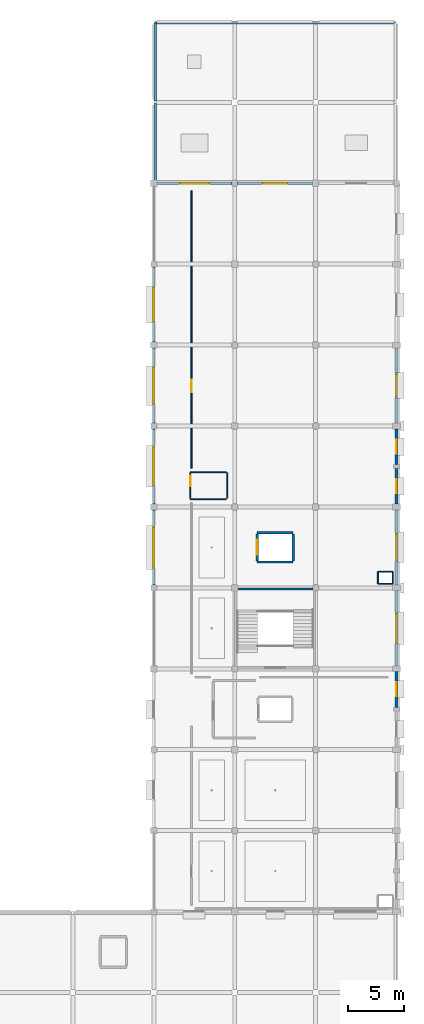
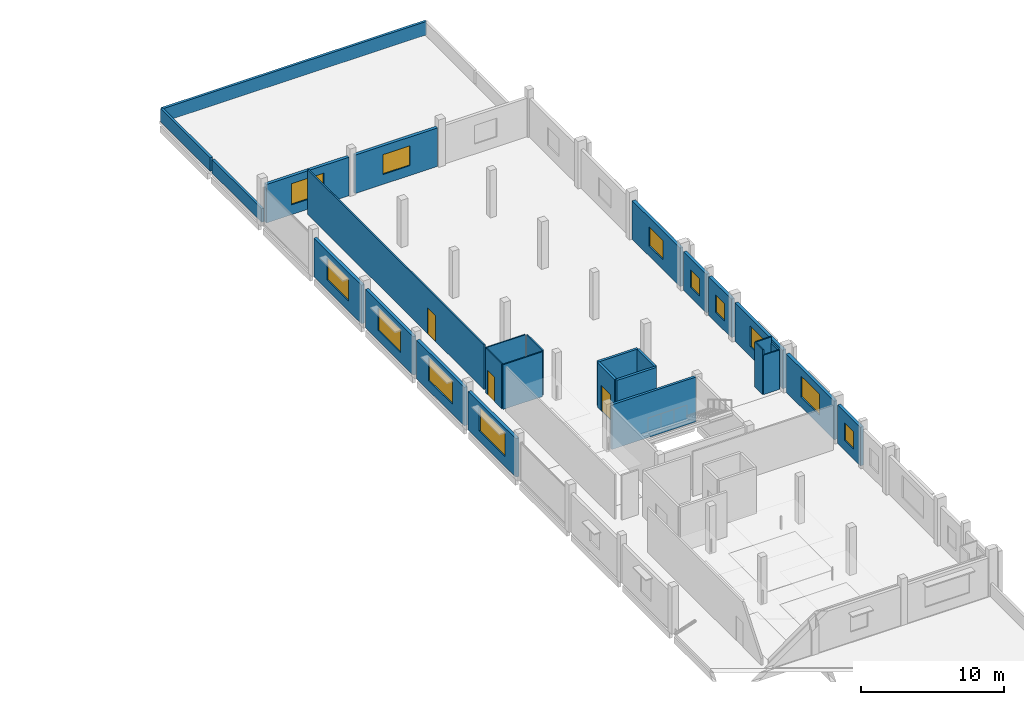
# One storey, part 18 of 26: 29 walls, 12 windows, 3 doors, 15 openings.
"""IFC4 building model written with IfcOpenShell, lengths in metres."""

from ifc_helpers import new_model, si_unit, direction, frame, frame_2d, origin, place, context, subcontext, project, spatial, rectangle, extrude, material, layer, layer_set, type_object, element, fill, save


model = new_model("IFC4")

# Units and contexts
model_context = context("Model", 3, precision=1e-05, world=origin(), true_north=direction((0.0, 1.0)))
body_context = subcontext(model_context, "Body", "Model", "MODEL_VIEW")
ifc_project = project(units=[si_unit("LENGTHUNIT", "METRE"), si_unit("AREAUNIT", "SQUARE_METRE"), si_unit("VOLUMEUNIT", "CUBIC_METRE"), si_unit("PLANEANGLEUNIT", "RADIAN"), si_unit("MASSUNIT", "GRAM", prefix="KILO")], contexts=[model_context])

# Site, building, storey
site_placement = place(None, origin())
site = spatial("IfcSite", under=ifc_project, at=site_placement, CompositionType="ELEMENT")
building_placement = place(site_placement, origin())
building = spatial("IfcBuilding", under=site, at=building_placement, Name="Kangsadwip Square Police Headquarters", CompositionType="ELEMENT")
storey_placement = place(building_placement, frame((0.0, 0.0, 25.64990234375)))
storey = spatial("IfcBuildingStorey", under=building, at=storey_placement, Name="L06", CompositionType="ELEMENT", Elevation=25.64990234375)

# Wall, opening, door
ifc_material_1 = material(Name="Fire-rated double gypsum board acoustic stud partition", Category="masonry")
ifc_layer_1 = layer(ifc_material_1, 0.1201171875)
ifc_layer_set_1 = layer_set([ifc_layer_1], Name="Fire-rated double gypsum board acoustic stud partition")
wall_type_1 = type_object("IfcWallType", Name="AcousticPartition120", PredefinedType="PARTITIONING", material=ifc_layer_set_1)
wall_1_placement = place(storey_placement, frame((147.35009765625, 75.429931640625, 0.0), z_axis=(0.0, 0.0, 1.0), x_axis=(0.0, 1.0, 0.0)))
wall_1 = element("IfcWall", 1, at=wall_1_placement, inside=storey, type_object=wall_type_1, Name="Interior Wall WI-L06-0930", PredefinedType="PARTITIONING", context=body_context, shape_type="SweptSolid", body=[
    extrude(rectangle(XDim=24.719970703125, YDim=0.1201171875, at=frame_2d((12.35986328125, 0.0))), origin(), (0.0, 0.0, 1.0), 3.830078125),
])
opening_1_placement = place(wall_1_placement, frame((6.783935546875, 0.0, 0.0)))
opening_1 = element("IfcOpeningElement", 2, at=opening_1_placement, cuts=wall_1, Name="Opening FD-11A", PredefinedType="OPENING", context=body_context, shape_type="SweptSolid", body=[
    extrude(rectangle(XDim=1.10009765625, YDim=2.199951171875, at=frame_2d((0.550048828125, 1.10009765625))), frame((0.0, 0.070068359375, 0.0), z_axis=(0.0, -1.0, 0.0), x_axis=(1.0, 0.0, 0.0)), (0.0, 0.0, 1.0), 0.14013671875),
])
ifc_material_2 = material(Name="Insulated galvanized steel fire-rated door assembly", Category="steel")
door_type_1 = type_object("IfcDoorType", Name="LabSingleDoor1100x2200", OperationType="NOTDEFINED", PredefinedType="DOOR", material=ifc_material_2)
door_1_placement = place(opening_1_placement, origin())
door_1 = element("IfcDoor", 3, at=door_1_placement, inside=storey, type_object=door_type_1, Name="Interior Door ID-L06-0263", OperationType="SINGLE_SWING_LEFT", OverallHeight=2.199951171875, OverallWidth=1.10009765625, PredefinedType="DOOR", context=body_context, shape_type="SweptSolid", body=[
    extrude(rectangle(XDim=1.10009765625, YDim=2.199951171875, at=frame_2d((0.550048828125, 1.10009765625))), frame((0.0, 0.02490234375, 0.0), z_axis=(0.0, -1.0, 0.0), x_axis=(1.0, 0.0, 0.0)), (0.0, 0.0, 1.0), 0.050048828125),
])
fill(opening_1, door_1)

# Wall, opening, window
ifc_material_3 = material(Name="Glazed architectural terracotta masonry rainscreen", Category="masonry")
ifc_layer_2 = layer(ifc_material_3, 0.25)
ifc_layer_set_2 = layer_set([ifc_layer_2], Name="Glazed architectural terracotta masonry rainscreen")
wall_type_2 = type_object("IfcWallType", Name="ChicagoTerracottaWall250", PredefinedType="SOLIDWALL", material=ifc_layer_set_2)
wall_2_placement = place(storey_placement, frame((144.27001953125, 100.800048828125, 0.0), z_axis=(0.0, 0.0, 1.0), x_axis=(1.0, 0.0, 0.0)))
wall_2 = element("IfcWall", 4, at=wall_2_placement, inside=storey, type_object=wall_type_2, Name="Exterior Wall WE-L06-543", PredefinedType="SOLIDWALL", context=body_context, shape_type="SweptSolid", body=[
    extrude(rectangle(XDim=6.68505859375, YDim=0.25, at=frame_2d((3.342529296875, 0.0))), origin(), (0.0, 0.0, 1.0), 3.295166015625),
])
opening_2_placement = place(wall_2_placement, frame((2.04248046875, 0.0, 0.85009765625)))
opening_2 = element("IfcOpeningElement", 5, at=opening_2_placement, cuts=wall_2, Name="Opening WN-06", PredefinedType="OPENING", context=body_context, shape_type="SweptSolid", body=[
    extrude(rectangle(XDim=2.60009765625, YDim=1.800048828125, at=frame_2d((1.300048828125, 0.89990234375))), frame((0.0, 0.135009765625, 0.0), z_axis=(0.0, -1.0, 0.0), x_axis=(1.0, 0.0, 0.0)), (0.0, 0.0, 1.0), 0.27001953125),
])
ifc_material_4 = material(Name="Double-glazed solar-control low-E safety glass", Category="glass")
window_type_1 = type_object("IfcWindowType", Name="ChicagoDoubleMullWin2600x1800", PartitioningType="DOUBLE_PANEL_VERTICAL", PredefinedType="WINDOW", material=ifc_material_4)
window_1_placement = place(opening_2_placement, origin())
window_1 = element("IfcWindow", 6, at=window_1_placement, inside=storey, type_object=window_type_1, Name="Window WN-L06-0392", OverallHeight=1.800048828125, OverallWidth=2.60009765625, PartitioningType="SINGLE_PANEL", PredefinedType="WINDOW", context=body_context, shape_type="SweptSolid", body=[
    extrude(rectangle(XDim=2.60009765625, YDim=1.800048828125, at=frame_2d((1.300048828125, 0.89990234375))), frame((0.0, 0.030029296875, 0.0), z_axis=(0.0, -1.0, 0.0), x_axis=(1.0, 0.0, 0.0)), (0.0, 0.0, 1.0), 0.06005859375),
])
fill(opening_2, window_1)

wall_3_placement = place(storey_placement, frame((151.445068359375, 100.800048828125, 0.0), z_axis=(0.0, 0.0, 1.0), x_axis=(1.0, 0.0, 0.0)))
wall_3 = element("IfcWall", 7, at=wall_3_placement, inside=storey, type_object=wall_type_2, Name="Exterior Wall WE-L06-544", PredefinedType="SOLIDWALL", context=body_context, shape_type="SweptSolid", body=[
    extrude(rectangle(XDim=6.684814453125, YDim=0.25, at=frame_2d((3.34228515625, 0.0))), origin(), (0.0, 0.0, 1.0), 3.295166015625),
])
opening_3_placement = place(wall_3_placement, frame((2.242431640625, 0.0, 0.85009765625)))
opening_3 = element("IfcOpeningElement", 8, at=opening_3_placement, cuts=wall_3, Name="Opening WN-08", PredefinedType="OPENING", context=body_context, shape_type="SweptSolid", body=[
    extrude(rectangle(XDim=2.199951171875, YDim=1.699951171875, at=frame_2d((1.10009765625, 0.85009765625))), frame((0.0, 0.135009765625, 0.0), z_axis=(0.0, -1.0, 0.0), x_axis=(1.0, 0.0, 0.0)), (0.0, 0.0, 1.0), 0.27001953125),
])
ifc_material_5 = material(Name="Double-glazed solar-control low-E safety glass", Category="glass")
window_type_2 = type_object("IfcWindowType", Name="ChicagoDoubleMullWin2200x1700", PartitioningType="DOUBLE_PANEL_VERTICAL", PredefinedType="WINDOW", material=ifc_material_5)
window_2_placement = place(opening_3_placement, origin())
window_2 = element("IfcWindow", 9, at=window_2_placement, inside=storey, type_object=window_type_2, Name="Window WN-L06-0393", OverallHeight=1.699951171875, OverallWidth=2.199951171875, PartitioningType="SINGLE_PANEL", PredefinedType="WINDOW", context=body_context, shape_type="SweptSolid", body=[
    extrude(rectangle(XDim=2.199951171875, YDim=1.699951171875, at=frame_2d((1.10009765625, 0.85009765625))), frame((0.0, 0.030029296875, 0.0), z_axis=(0.0, -1.0, 0.0), x_axis=(1.0, 0.0, 0.0)), (0.0, 0.0, 1.0), 0.06005859375),
])
fill(opening_3, window_2)

wall_4_placement = place(storey_placement, frame((144.0, 65.044921875, 0.0), z_axis=(0.0, 0.0, 1.0), x_axis=(0.0, 1.0, 0.0)))
wall_4 = element("IfcWall", 10, at=wall_4_placement, inside=storey, type_object=wall_type_2, Name="Exterior Wall WE-L06-565", PredefinedType="SOLIDWALL", context=body_context, shape_type="SweptSolid", body=[
    extrude(rectangle(XDim=6.68505859375, YDim=0.25, at=frame_2d((3.342529296875, 0.0))), origin(), (0.0, 0.0, 1.0), 3.295166015625),
])
opening_4_placement = place(wall_4_placement, frame((1.54248046875, 0.0, 0.85009765625)))
opening_4 = element("IfcOpeningElement", 11, at=opening_4_placement, cuts=wall_4, Name="Opening WN-01", PredefinedType="OPENING", context=body_context, shape_type="SweptSolid", body=[
    extrude(rectangle(XDim=3.60009765625, YDim=2.050048828125, at=frame_2d((1.800048828125, 1.02490234375))), frame((0.0, 0.135009765625, 0.0), z_axis=(0.0, -1.0, 0.0), x_axis=(1.0, 0.0, 0.0)), (0.0, 0.0, 1.0), 0.27001953125),
])
ifc_material_6 = material(Name="Double-glazed solar-control low-E safety glass", Category="glass")
window_type_3 = type_object("IfcWindowType", Name="ChicagoTripartiteWin3600x2050", PartitioningType="TRIPLE_PANEL_HORIZONTAL", PredefinedType="WINDOW", material=ifc_material_6)
window_3_placement = place(opening_4_placement, origin())
window_3 = element("IfcWindow", 12, at=window_3_placement, inside=storey, type_object=window_type_3, Name="Window WN-L06-0414", OverallHeight=2.050048828125, OverallWidth=3.60009765625, PartitioningType="SINGLE_PANEL", PredefinedType="WINDOW", context=body_context, shape_type="SweptSolid", body=[
    extrude(rectangle(XDim=3.60009765625, YDim=2.050048828125, at=frame_2d((1.800048828125, 1.02490234375))), frame((0.0, 0.030029296875, 0.0), z_axis=(0.0, -1.0, 0.0), x_axis=(1.0, 0.0, 0.0)), (0.0, 0.0, 1.0), 0.06005859375),
])
fill(opening_4, window_3)

wall_5_placement = place(storey_placement, frame((144.0, 72.27001953125, 0.0), z_axis=(0.0, 0.0, 1.0), x_axis=(0.0, 1.0, 0.0)))
wall_5 = element("IfcWall", 13, at=wall_5_placement, inside=storey, type_object=wall_type_2, Name="Exterior Wall WE-L06-566", PredefinedType="SOLIDWALL", context=body_context, shape_type="SweptSolid", body=[
    extrude(rectangle(XDim=6.68505859375, YDim=0.25, at=frame_2d((3.342529296875, 0.0))), origin(), (0.0, 0.0, 1.0), 3.295166015625),
])
opening_5_placement = place(wall_5_placement, frame((1.642578125, 0.0, 0.85009765625)))
opening_5 = element("IfcOpeningElement", 14, at=opening_5_placement, cuts=wall_5, Name="Opening WN-02", PredefinedType="OPENING", context=body_context, shape_type="SweptSolid", body=[
    extrude(rectangle(XDim=3.39990234375, YDim=2.0, at=frame_2d((1.699951171875, 1.0))), frame((0.0, 0.135009765625, 0.0), z_axis=(0.0, -1.0, 0.0), x_axis=(1.0, 0.0, 0.0)), (0.0, 0.0, 1.0), 0.27001953125),
])
ifc_material_7 = material(Name="Double-glazed solar-control low-E safety glass", Category="glass")
window_type_4 = type_object("IfcWindowType", Name="ChicagoTripartiteWin3400x2000", PartitioningType="TRIPLE_PANEL_HORIZONTAL", PredefinedType="WINDOW", material=ifc_material_7)
window_4_placement = place(opening_5_placement, origin())
window_4 = element("IfcWindow", 15, at=window_4_placement, inside=storey, type_object=window_type_4, Name="Window WN-L06-0415", OverallHeight=2.0, OverallWidth=3.39990234375, PartitioningType="SINGLE_PANEL", PredefinedType="WINDOW", context=body_context, shape_type="SweptSolid", body=[
    extrude(rectangle(XDim=3.39990234375, YDim=2.0, at=frame_2d((1.699951171875, 1.0))), frame((0.0, 0.030029296875, 0.0), z_axis=(0.0, -1.0, 0.0), x_axis=(1.0, 0.0, 0.0)), (0.0, 0.0, 1.0), 0.06005859375),
])
fill(opening_5, window_4)

wall_6_placement = place(storey_placement, frame((144.0, 79.445068359375, 0.0), z_axis=(0.0, 0.0, 1.0), x_axis=(0.0, 1.0, 0.0)))
wall_6 = element("IfcWall", 16, at=wall_6_placement, inside=storey, type_object=wall_type_2, Name="Exterior Wall WE-L06-567", PredefinedType="SOLIDWALL", context=body_context, shape_type="SweptSolid", body=[
    extrude(rectangle(XDim=6.684814453125, YDim=0.25, at=frame_2d((3.34228515625, 0.0))), origin(), (0.0, 0.0, 1.0), 3.295166015625),
])
opening_6_placement = place(wall_6_placement, frame((1.742431640625, 0.0, 0.85009765625)))
opening_6 = element("IfcOpeningElement", 17, at=opening_6_placement, cuts=wall_6, Name="Opening WN-03", PredefinedType="OPENING", context=body_context, shape_type="SweptSolid", body=[
    extrude(rectangle(XDim=3.199951171875, YDim=1.949951171875, at=frame_2d((1.60009765625, 0.97509765625))), frame((0.0, 0.135009765625, 0.0), z_axis=(0.0, -1.0, 0.0), x_axis=(1.0, 0.0, 0.0)), (0.0, 0.0, 1.0), 0.27001953125),
])
ifc_material_8 = material(Name="Double-glazed solar-control low-E safety glass", Category="glass")
window_type_5 = type_object("IfcWindowType", Name="ChicagoTripartiteWin3200x1950", PartitioningType="TRIPLE_PANEL_HORIZONTAL", PredefinedType="WINDOW", material=ifc_material_8)
window_5_placement = place(opening_6_placement, origin())
window_5 = element("IfcWindow", 18, at=window_5_placement, inside=storey, type_object=window_type_5, Name="Window WN-L06-0416", OverallHeight=1.949951171875, OverallWidth=3.199951171875, PartitioningType="SINGLE_PANEL", PredefinedType="WINDOW", context=body_context, shape_type="SweptSolid", body=[
    extrude(rectangle(XDim=3.199951171875, YDim=1.949951171875, at=frame_2d((1.60009765625, 0.97509765625))), frame((0.0, 0.030029296875, 0.0), z_axis=(0.0, -1.0, 0.0), x_axis=(1.0, 0.0, 0.0)), (0.0, 0.0, 1.0), 0.06005859375),
])
fill(opening_6, window_5)

wall_7_placement = place(storey_placement, frame((144.0, 86.669921875, 0.0), z_axis=(0.0, 0.0, 1.0), x_axis=(0.0, 1.0, 0.0)))
wall_7 = element("IfcWall", 19, at=wall_7_placement, inside=storey, type_object=wall_type_2, Name="Exterior Wall WE-L06-568", PredefinedType="SOLIDWALL", context=body_context, shape_type="SweptSolid", body=[
    extrude(rectangle(XDim=6.68505859375, YDim=0.25, at=frame_2d((3.342529296875, 0.0))), origin(), (0.0, 0.0, 1.0), 3.295166015625),
])
opening_7_placement = place(wall_7_placement, frame((1.842529296875, 0.0, 0.85009765625)))
opening_7 = element("IfcOpeningElement", 20, at=opening_7_placement, cuts=wall_7, Name="Opening WN-04", PredefinedType="OPENING", context=body_context, shape_type="SweptSolid", body=[
    extrude(rectangle(XDim=3.0, YDim=1.89990234375, at=frame_2d((1.5, 0.949951171875))), frame((0.0, 0.135009765625, 0.0), z_axis=(0.0, -1.0, 0.0), x_axis=(1.0, 0.0, 0.0)), (0.0, 0.0, 1.0), 0.27001953125),
])
ifc_material_9 = material(Name="Double-glazed solar-control low-E safety glass", Category="glass")
window_type_6 = type_object("IfcWindowType", Name="ChicagoTripartiteWin3000x1900", PartitioningType="TRIPLE_PANEL_HORIZONTAL", PredefinedType="WINDOW", material=ifc_material_9)
window_6_placement = place(opening_7_placement, origin())
window_6 = element("IfcWindow", 21, at=window_6_placement, inside=storey, type_object=window_type_6, Name="Window WN-L06-0417", OverallHeight=1.89990234375, OverallWidth=3.0, PartitioningType="SINGLE_PANEL", PredefinedType="WINDOW", context=body_context, shape_type="SweptSolid", body=[
    extrude(rectangle(XDim=3.0, YDim=1.89990234375, at=frame_2d((1.5, 0.949951171875))), frame((0.0, 0.030029296875, 0.0), z_axis=(0.0, -1.0, 0.0), x_axis=(1.0, 0.0, 0.0)), (0.0, 0.0, 1.0), 0.06005859375),
])
fill(opening_7, window_6)

wall_8_placement = place(storey_placement, frame((165.60009765625, 54.169921875, 0.0), z_axis=(0.0, 0.0, 1.0), x_axis=(0.0, 1.0, 0.0)))
wall_8 = element("IfcWall", 22, at=wall_8_placement, inside=storey, type_object=wall_type_2, Name="Exterior Wall WE-L06-573", PredefinedType="SOLIDWALL", context=body_context, shape_type="SweptSolid", body=[
    extrude(rectangle(XDim=3.18505859375, YDim=0.25, at=frame_2d((1.592529296875, 0.0))), origin(), (0.0, 0.0, 1.0), 3.295166015625),
])
opening_8_placement = place(wall_8_placement, frame((0.967529296875, 0.0, 0.85009765625)))
opening_8 = element("IfcOpeningElement", 23, at=opening_8_placement, cuts=wall_8, Name="Opening WN-14", PredefinedType="OPENING", context=body_context, shape_type="SweptSolid", body=[
    extrude(rectangle(XDim=1.25, YDim=1.5, at=frame_2d((0.625, 0.75))), frame((0.0, 0.135009765625, 0.0), z_axis=(0.0, -1.0, 0.0), x_axis=(1.0, 0.0, 0.0)), (0.0, 0.0, 1.0), 0.27001953125),
])
ifc_material_10 = material(Name="Double-glazed solar-control low-E safety glass", Category="glass")
window_type_7 = type_object("IfcWindowType", Name="OfficeCasementWin1250x1500", PartitioningType="SINGLE_PANEL", PredefinedType="WINDOW", material=ifc_material_10)
window_7_placement = place(opening_8_placement, origin())
window_7 = element("IfcWindow", 24, at=window_7_placement, inside=storey, type_object=window_type_7, Name="Window WN-L06-0422", OverallHeight=1.5, OverallWidth=1.25, PartitioningType="SINGLE_PANEL", PredefinedType="WINDOW", context=body_context, shape_type="SweptSolid", body=[
    extrude(rectangle(XDim=1.25, YDim=1.5, at=frame_2d((0.625, 0.75))), frame((0.0, 0.030029296875, 0.0), z_axis=(0.0, -1.0, 0.0), x_axis=(1.0, 0.0, 0.0)), (0.0, 0.0, 1.0), 0.06005859375),
])
fill(opening_8, window_7)

wall_9_placement = place(storey_placement, frame((165.60009765625, 57.844970703125, 0.0), z_axis=(0.0, 0.0, 1.0), x_axis=(0.0, 1.0, 0.0)))
wall_9 = element("IfcWall", 25, at=wall_9_placement, inside=storey, type_object=wall_type_2, Name="Exterior Wall WE-L06-574", PredefinedType="SOLIDWALL", context=body_context, shape_type="SweptSolid", body=[
    extrude(rectangle(XDim=6.7099609375, YDim=0.25, at=frame_2d((3.35498046875, 0.0))), origin(), (0.0, 0.0, 1.0), 3.295166015625),
])
opening_9_placement = place(wall_9_placement, frame((2.054931640625, 0.0, 0.85009765625)))
opening_9 = element("IfcOpeningElement", 26, at=opening_9_placement, cuts=wall_9, Name="Opening WN-06", PredefinedType="OPENING", context=body_context, shape_type="SweptSolid", body=[
    extrude(rectangle(XDim=2.60009765625, YDim=1.800048828125, at=frame_2d((1.300048828125, 0.89990234375))), frame((0.0, 0.135009765625, 0.0), z_axis=(0.0, -1.0, 0.0), x_axis=(1.0, 0.0, 0.0)), (0.0, 0.0, 1.0), 0.27001953125),
])
window_8_placement = place(opening_9_placement, origin())
window_8 = element("IfcWindow", 27, at=window_8_placement, inside=storey, type_object=window_type_1, Name="Window WN-L06-0423", OverallHeight=1.800048828125, OverallWidth=2.60009765625, PartitioningType="SINGLE_PANEL", PredefinedType="WINDOW", context=body_context, shape_type="SweptSolid", body=[
    extrude(rectangle(XDim=2.60009765625, YDim=1.800048828125, at=frame_2d((1.300048828125, 0.89990234375))), frame((0.0, 0.030029296875, 0.0), z_axis=(0.0, -1.0, 0.0), x_axis=(1.0, 0.0, 0.0)), (0.0, 0.0, 1.0), 0.06005859375),
])
fill(opening_9, window_8)

wall_10_placement = place(storey_placement, frame((165.60009765625, 65.044921875, 0.0), z_axis=(0.0, 0.0, 1.0), x_axis=(0.0, 1.0, 0.0)))
wall_10 = element("IfcWall", 28, at=wall_10_placement, inside=storey, type_object=wall_type_2, Name="Exterior Wall WE-L06-575", PredefinedType="SOLIDWALL", context=body_context, shape_type="SweptSolid", body=[
    extrude(rectangle(XDim=6.7099609375, YDim=0.25, at=frame_2d((3.35498046875, 0.0))), origin(), (0.0, 0.0, 1.0), 3.295166015625),
])
opening_10_placement = place(wall_10_placement, frame((2.155029296875, 0.0, 0.85009765625)))
opening_10 = element("IfcOpeningElement", 29, at=opening_10_placement, cuts=wall_10, Name="Opening WN-07", PredefinedType="OPENING", context=body_context, shape_type="SweptSolid", body=[
    extrude(rectangle(XDim=2.39990234375, YDim=1.75, at=frame_2d((1.199951171875, 0.875))), frame((0.0, 0.135009765625, 0.0), z_axis=(0.0, -1.0, 0.0), x_axis=(1.0, 0.0, 0.0)), (0.0, 0.0, 1.0), 0.27001953125),
])
ifc_material_11 = material(Name="Double-glazed solar-control low-E safety glass", Category="glass")
window_type_8 = type_object("IfcWindowType", Name="ChicagoDoubleMullWin2400x1750", PartitioningType="DOUBLE_PANEL_VERTICAL", PredefinedType="WINDOW", material=ifc_material_11)
window_9_placement = place(opening_10_placement, origin())
window_9 = element("IfcWindow", 30, at=window_9_placement, inside=storey, type_object=window_type_8, Name="Window WN-L06-0424", OverallHeight=1.75, OverallWidth=2.39990234375, PartitioningType="SINGLE_PANEL", PredefinedType="WINDOW", context=body_context, shape_type="SweptSolid", body=[
    extrude(rectangle(XDim=2.39990234375, YDim=1.75, at=frame_2d((1.199951171875, 0.875))), frame((0.0, 0.030029296875, 0.0), z_axis=(0.0, -1.0, 0.0), x_axis=(1.0, 0.0, 0.0)), (0.0, 0.0, 1.0), 0.06005859375),
])
fill(opening_10, window_9)

wall_11_placement = place(storey_placement, frame((165.60009765625, 72.2451171875, 0.0), z_axis=(0.0, 0.0, 1.0), x_axis=(0.0, 1.0, 0.0)))
wall_11 = element("IfcWall", 31, at=wall_11_placement, inside=storey, type_object=wall_type_2, Name="Exterior Wall WE-L06-576", PredefinedType="SOLIDWALL", context=body_context, shape_type="SweptSolid", body=[
    extrude(rectangle(XDim=3.184814453125, YDim=0.25, at=frame_2d((1.59228515625, 0.0))), origin(), (0.0, 0.0, 1.0), 3.295166015625),
])
opening_11_placement = place(wall_11_placement, frame((0.967529296875, 0.0, 0.85009765625)))
opening_11 = element("IfcOpeningElement", 32, at=opening_11_placement, cuts=wall_11, Name="Opening WN-14", PredefinedType="OPENING", context=body_context, shape_type="SweptSolid", body=[
    extrude(rectangle(XDim=1.25, YDim=1.5, at=frame_2d((0.625, 0.75))), frame((0.0, 0.135009765625, 0.0), z_axis=(0.0, -1.0, 0.0), x_axis=(1.0, 0.0, 0.0)), (0.0, 0.0, 1.0), 0.27001953125),
])
window_10_placement = place(opening_11_placement, origin())
window_10 = element("IfcWindow", 33, at=window_10_placement, inside=storey, type_object=window_type_7, Name="Window WN-L06-0425", OverallHeight=1.5, OverallWidth=1.25, PartitioningType="SINGLE_PANEL", PredefinedType="WINDOW", context=body_context, shape_type="SweptSolid", body=[
    extrude(rectangle(XDim=1.25, YDim=1.5, at=frame_2d((0.625, 0.75))), frame((0.0, 0.030029296875, 0.0), z_axis=(0.0, -1.0, 0.0), x_axis=(1.0, 0.0, 0.0)), (0.0, 0.0, 1.0), 0.06005859375),
])
fill(opening_11, window_10)

wall_12_placement = place(storey_placement, frame((165.60009765625, 75.77001953125, 0.0), z_axis=(0.0, 0.0, 1.0), x_axis=(0.0, 1.0, 0.0)))
wall_12 = element("IfcWall", 34, at=wall_12_placement, inside=storey, type_object=wall_type_2, Name="Exterior Wall WE-L06-577", PredefinedType="SOLIDWALL", context=body_context, shape_type="SweptSolid", body=[
    extrude(rectangle(XDim=3.18505859375, YDim=0.25, at=frame_2d((1.592529296875, 0.0))), origin(), (0.0, 0.0, 1.0), 3.295166015625),
])
opening_12_placement = place(wall_12_placement, frame((0.967529296875, 0.0, 0.85009765625)))
opening_12 = element("IfcOpeningElement", 35, at=opening_12_placement, cuts=wall_12, Name="Opening WN-14", PredefinedType="OPENING", context=body_context, shape_type="SweptSolid", body=[
    extrude(rectangle(XDim=1.25, YDim=1.5, at=frame_2d((0.625, 0.75))), frame((0.0, 0.135009765625, 0.0), z_axis=(0.0, -1.0, 0.0), x_axis=(1.0, 0.0, 0.0)), (0.0, 0.0, 1.0), 0.27001953125),
])
window_11_placement = place(opening_12_placement, origin())
window_11 = element("IfcWindow", 36, at=window_11_placement, inside=storey, type_object=window_type_7, Name="Window WN-L06-0426", OverallHeight=1.5, OverallWidth=1.25, PartitioningType="SINGLE_PANEL", PredefinedType="WINDOW", context=body_context, shape_type="SweptSolid", body=[
    extrude(rectangle(XDim=1.25, YDim=1.5, at=frame_2d((0.625, 0.75))), frame((0.0, 0.030029296875, 0.0), z_axis=(0.0, -1.0, 0.0), x_axis=(1.0, 0.0, 0.0)), (0.0, 0.0, 1.0), 0.06005859375),
])
fill(opening_12, window_11)

wall_13_placement = place(storey_placement, frame((165.60009765625, 79.445068359375, 0.0), z_axis=(0.0, 0.0, 1.0), x_axis=(0.0, 1.0, 0.0)))
wall_13 = element("IfcWall", 37, at=wall_13_placement, inside=storey, type_object=wall_type_2, Name="Exterior Wall WE-L06-578", PredefinedType="SOLIDWALL", context=body_context, shape_type="SweptSolid", body=[
    extrude(rectangle(XDim=6.7099609375, YDim=0.25, at=frame_2d((3.35498046875, 0.0))), origin(), (0.0, 0.0, 1.0), 3.295166015625),
])
opening_13_placement = place(wall_13_placement, frame((2.35498046875, 0.0, 0.85009765625)))
opening_13 = element("IfcOpeningElement", 38, at=opening_13_placement, cuts=wall_13, Name="Opening WN-09", PredefinedType="OPENING", context=body_context, shape_type="SweptSolid", body=[
    extrude(rectangle(XDim=2.0, YDim=1.64990234375, at=frame_2d((1.0, 0.824951171875))), frame((0.0, 0.135009765625, 0.0), z_axis=(0.0, -1.0, 0.0), x_axis=(1.0, 0.0, 0.0)), (0.0, 0.0, 1.0), 0.27001953125),
])
ifc_material_12 = material(Name="Double-glazed solar-control low-E safety glass", Category="glass")
window_type_9 = type_object("IfcWindowType", Name="ChicagoDoubleMullWin2000x1650", PartitioningType="DOUBLE_PANEL_VERTICAL", PredefinedType="WINDOW", material=ifc_material_12)
window_12_placement = place(opening_13_placement, origin())
window_12 = element("IfcWindow", 39, at=window_12_placement, inside=storey, type_object=window_type_9, Name="Window WN-L06-0427", OverallHeight=1.64990234375, OverallWidth=2.0, PartitioningType="SINGLE_PANEL", PredefinedType="WINDOW", context=body_context, shape_type="SweptSolid", body=[
    extrude(rectangle(XDim=2.0, YDim=1.64990234375, at=frame_2d((1.0, 0.824951171875))), frame((0.0, 0.030029296875, 0.0), z_axis=(0.0, -1.0, 0.0), x_axis=(1.0, 0.0, 0.0)), (0.0, 0.0, 1.0), 0.06005859375),
])
fill(opening_13, window_12)

# Walls
ifc_material_13 = material(Name="Concrete M40 (40 MPa)", Category="concrete")
ifc_layer_3 = layer(ifc_material_13, 0.199951171875)
ifc_layer_set_3 = layer_set([ifc_layer_3], Name="Concrete M40 (40 MPa)")
wall_type_3 = type_object("IfcWallType", Name="CoreShearWall200", PredefinedType="SHEAR", material=ifc_layer_set_3)
wall_14_placement = place(storey_placement, frame((151.39990234375, 64.699951171875, 0.0), z_axis=(0.0, 0.0, 1.0), x_axis=(1.0, 0.0, 0.0)))
element("IfcWall", 40, at=wall_14_placement, inside=storey, type_object=wall_type_3, Name="Interior Wall WI-L06-0118", PredefinedType="SHEAR", context=body_context, shape_type="SweptSolid", body=[
    extrude(rectangle(XDim=6.800048828125, YDim=0.199951171875, at=frame_2d((3.39990234375, 0.0))), origin(), (0.0, 0.0, 1.0), 3.830078125),
])
for number, where, z_axis, x_axis, name in (
    (41, (153.199951171875, 67.10009765625, 0.0), (0.0, 0.0, 1.0), (1.0, 0.0, 0.0), "Interior Wall WI-L06-0455"),
    (42, (153.199951171875, 69.699951171875, 0.0), (0.0, 0.0, 1.0), (1.0, 0.0, 0.0), "Interior Wall WI-L06-0456"),
):
    element("IfcWall", number, at=place(storey_placement, frame(where, z_axis=z_axis, x_axis=x_axis)), inside=storey, type_object=wall_type_3, Name=name, PredefinedType="SHEAR", context=body_context, shape_type="SweptSolid", body=[
        extrude(rectangle(XDim=3.199951171875, YDim=0.199951171875, at=frame_2d((1.60009765625, 0.0))), origin(), (0.0, 0.0, 1.0), 3.830078125),
    ])

# Wall, opening, door
wall_15_placement = place(storey_placement, frame((153.199951171875, 67.199951171875, 0.0), z_axis=(0.0, 0.0, 1.0), x_axis=(0.0, 1.0, 0.0)))
wall_15 = element("IfcWall", 43, at=wall_15_placement, inside=storey, type_object=wall_type_3, Name="Interior Wall WI-L06-0457", PredefinedType="SHEAR", context=body_context, shape_type="SweptSolid", body=[
    extrude(rectangle(XDim=2.400146484375, YDim=0.199951171875, at=frame_2d((1.2001953125, 0.0))), origin(), (0.0, 0.0, 1.0), 3.830078125),
])
opening_14_placement = place(wall_15_placement, frame((0.52490234375, 0.0, 0.0)))
opening_14 = element("IfcOpeningElement", 44, at=opening_14_placement, cuts=wall_15, Name="Opening LD-052", PredefinedType="OPENING", context=body_context, shape_type="SweptSolid", body=[
    extrude(rectangle(XDim=1.35009765625, YDim=2.199951171875, at=frame_2d((0.675048828125, 1.10009765625))), frame((0.0, 0.10986328125, 0.0), z_axis=(0.0, -1.0, 0.0), x_axis=(1.0, 0.0, 0.0)), (0.0, 0.0, 1.0), 0.219970703125),
])
ifc_material_14 = material(Name="Brushed stainless steel automatic sliding lift landing door", Category="steel")
door_type_2 = type_object("IfcDoorType", Name="LiftLandingDoor1350x2200", OperationType="DOUBLE_DOOR_SLIDING", PredefinedType="DOOR", material=ifc_material_14)
door_2_placement = place(opening_14_placement, origin())
door_2 = element("IfcDoor", 45, at=door_2_placement, inside=storey, type_object=door_type_2, Name="Interior Door LD-052", OperationType="DOUBLE_DOOR_SLIDING", OverallHeight=2.199951171875, OverallWidth=1.35009765625, PredefinedType="DOOR", context=body_context, shape_type="SweptSolid", body=[
    extrude(rectangle(XDim=1.35009765625, YDim=2.199951171875, at=frame_2d((0.675048828125, 1.10009765625))), frame((0.0, 0.02490234375, 0.0), z_axis=(0.0, -1.0, 0.0), x_axis=(1.0, 0.0, 0.0)), (0.0, 0.0, 1.0), 0.050048828125),
])
fill(opening_14, door_2)

# Walls
wall_16_placement = place(storey_placement, frame((156.39990234375, 67.199951171875, 0.0), z_axis=(0.0, 0.0, 1.0), x_axis=(0.0, 1.0, 0.0)))
element("IfcWall", 46, at=wall_16_placement, inside=storey, type_object=wall_type_3, Name="Interior Wall WI-L06-0458", PredefinedType="SHEAR", context=body_context, shape_type="SweptSolid", body=[
    extrude(rectangle(XDim=2.400146484375, YDim=0.199951171875, at=frame_2d((1.2001953125, 0.0))), origin(), (0.0, 0.0, 1.0), 3.830078125),
])
ifc_material_15 = material(Name="Concrete M35 (35 MPa)", Category="concrete")
ifc_layer_4 = layer(ifc_material_15, 0.199951171875)
ifc_layer_set_4 = layer_set([ifc_layer_4], Name="Concrete M35 (35 MPa)")
wall_type_4 = type_object("IfcWallType", Name="RoofParapetWall200", PredefinedType="PARAPET", material=ifc_layer_set_4)
wall_17_placement = place(storey_placement, frame((144.1201171875, 115.080078125, 0.0), z_axis=(0.0, 0.0, 1.0), x_axis=(1.0, 0.0, 0.0)))
element("IfcWall", 47, at=wall_17_placement, inside=storey, type_object=wall_type_4, Name="Exterior Wall WE-L06-643", PredefinedType="PARAPET", context=body_context, shape_type="SweptSolid", body=[
    extrude(rectangle(XDim=21.35986328125, YDim=0.199951171875, at=frame_2d((10.679931640625, 0.0))), origin(), (0.0, 0.0, 1.0), 1.150146484375),
])
for number, where, z_axis, x_axis, name in (
    (48, (144.1201171875, 100.919921875, 0.0), (0.0, 0.0, 1.0), (0.0, 1.0, 0.0), "Exterior Wall WE-L06-645"),
    (49, (144.1201171875, 108.1201171875, 0.0), (0.0, 0.0, 1.0), (0.0, 1.0, 0.0), "Exterior Wall WE-L06-647"),
):
    element("IfcWall", number, at=place(storey_placement, frame(where, z_axis=z_axis, x_axis=x_axis)), inside=storey, type_object=wall_type_4, Name=name, PredefinedType="PARAPET", context=body_context, shape_type="SweptSolid", body=[
        extrude(rectangle(XDim=6.9599609375, YDim=0.199951171875, at=frame_2d((3.47998046875, 0.0))), origin(), (0.0, 0.0, 1.0), 1.150146484375),
    ])
ifc_material_16 = material(Name="Autoclaved aerated concrete blockwork masonry", Category="masonry")
ifc_layer_5 = layer(ifc_material_16, 0.10009765625)
ifc_layer_set_5 = layer_set([ifc_layer_5], Name="Autoclaved aerated concrete blockwork masonry")
wall_type_5 = type_object("IfcWallType", Name="WetWallPartition100", PredefinedType="PARTITIONING", material=ifc_layer_set_5)
wall_18_placement = place(storey_placement, frame((163.949951171875, 65.14990234375, 0.0), z_axis=(0.0, 0.0, 1.0), x_axis=(1.0, 0.0, 0.0)))
element("IfcWall", 50, at=wall_18_placement, inside=storey, type_object=wall_type_5, Name="Interior Wall WI-L06-0631", PredefinedType="PARTITIONING", context=body_context, shape_type="SweptSolid", body=[
    extrude(rectangle(XDim=1.300048828125, YDim=0.10009765625, at=frame_2d((0.64990234375, 0.0))), origin(), (0.0, 0.0, 1.0), 3.3701171875),
])
wall_19_placement = place(storey_placement, frame((163.949951171875, 66.25, 0.0), z_axis=(0.0, 0.0, 1.0), x_axis=(1.0, 0.0, 0.0)))
element("IfcWall", 51, at=wall_19_placement, inside=storey, type_object=wall_type_5, Name="Interior Wall WI-L06-0632", PredefinedType="PARTITIONING", context=body_context, shape_type="SweptSolid", body=[
    extrude(rectangle(XDim=1.300048828125, YDim=0.10009765625, at=frame_2d((0.64990234375, 0.0))), origin(), (0.0, 0.0, 1.0), 3.830078125),
])
wall_20_placement = place(storey_placement, frame((163.949951171875, 65.14990234375, 0.0), z_axis=(0.0, 0.0, 1.0), x_axis=(0.0, 1.0, 0.0)))
element("IfcWall", 52, at=wall_20_placement, inside=storey, type_object=wall_type_5, Name="Interior Wall WI-L06-0633", PredefinedType="PARTITIONING", context=body_context, shape_type="SweptSolid", body=[
    extrude(rectangle(XDim=1.10009765625, YDim=0.10009765625, at=frame_2d((0.550048828125, 0.0))), origin(), (0.0, 0.0, 1.0), 3.830078125),
])
wall_21_placement = place(storey_placement, frame((165.25, 65.14990234375, 0.0), z_axis=(0.0, 0.0, 1.0), x_axis=(0.0, 1.0, 0.0)))
element("IfcWall", 53, at=wall_21_placement, inside=storey, type_object=wall_type_5, Name="Interior Wall WI-L06-0634", PredefinedType="PARTITIONING", context=body_context, shape_type="SweptSolid", body=[
    extrude(rectangle(XDim=1.10009765625, YDim=0.10009765625, at=frame_2d((0.550048828125, 0.0))), origin(), (0.0, 0.0, 1.0), 3.300048828125),
])

# Wall, opening, door
wall_22_placement = place(storey_placement, frame((147.25, 72.780029296875, 0.0), z_axis=(0.0, 0.0, 1.0), x_axis=(0.0, 1.0, 0.0)))
wall_22 = element("IfcWall", 54, at=wall_22_placement, inside=storey, type_object=wall_type_5, Name="Interior Wall WI-L06-0918", PredefinedType="PARTITIONING", context=body_context, shape_type="SweptSolid", body=[
    extrude(rectangle(XDim=2.239990234375, YDim=0.10009765625, at=frame_2d((1.1201171875, 0.0))), origin(), (0.0, 0.0, 1.0), 3.830078125),
])
opening_15_placement = place(wall_22_placement, frame((1.0400390625, 0.0, 0.0)))
opening_15 = element("IfcOpeningElement", 55, at=opening_15_placement, cuts=wall_22, Name="Opening WD-09A", PredefinedType="OPENING", context=body_context, shape_type="SweptSolid", body=[
    extrude(rectangle(XDim=0.949951171875, YDim=2.10009765625, at=frame_2d((0.47509765625, 1.050048828125))), frame((0.0, 0.06005859375, 0.0), z_axis=(0.0, -1.0, 0.0), x_axis=(1.0, 0.0, 0.0)), (0.0, 0.0, 1.0), 0.1201171875),
])
ifc_material_17 = material(Name="Solid-core seasoned teak hardwood architectural door", Category="wood")
door_type_3 = type_object("IfcDoorType", Name="AccessibleWcDoor950x2100", OperationType="NOTDEFINED", PredefinedType="DOOR", material=ifc_material_17)
door_3_placement = place(opening_15_placement, origin())
door_3 = element("IfcDoor", 56, at=door_3_placement, inside=storey, type_object=door_type_3, Name="Interior Door ID-L06-0258", OperationType="SINGLE_SWING_LEFT", OverallHeight=2.10009765625, OverallWidth=0.949951171875, PredefinedType="DOOR", context=body_context, shape_type="SweptSolid", body=[
    extrude(rectangle(XDim=0.949951171875, YDim=2.10009765625, at=frame_2d((0.47509765625, 1.050048828125))), frame((0.0, 0.02490234375, 0.0), z_axis=(0.0, -1.0, 0.0), x_axis=(1.0, 0.0, 0.0)), (0.0, 0.0, 1.0), 0.050048828125),
])
fill(opening_15, door_3)

# Walls
for number, where, z_axis, x_axis, name in (
    (57, (147.25, 72.699951171875, 0.0), (0.0, 0.0, 1.0), (1.0, 0.0, 0.0), "Interior Wall WI-L06-0919"),
    (58, (147.25, 75.10009765625, 0.0), (0.0, 0.0, 1.0), (1.0, 0.0, 0.0), "Interior Wall WI-L06-0920"),
):
    element("IfcWall", number, at=place(storey_placement, frame(where, z_axis=z_axis, x_axis=x_axis)), inside=storey, type_object=wall_type_5, Name=name, PredefinedType="PARTITIONING", context=body_context, shape_type="SweptSolid", body=[
        extrude(rectangle(XDim=3.179931640625, YDim=0.10009765625, at=frame_2d((1.58984375, 0.0))), origin(), (0.0, 0.0, 1.0), 3.830078125),
    ])
wall_23_placement = place(storey_placement, frame((150.550048828125, 72.780029296875, 0.0), z_axis=(0.0, 0.0, 1.0), x_axis=(0.0, 1.0, 0.0)))
element("IfcWall", 59, at=wall_23_placement, inside=storey, type_object=wall_type_5, Name="Interior Wall WI-L06-0921", PredefinedType="PARTITIONING", context=body_context, shape_type="SweptSolid", body=[
    extrude(rectangle(XDim=2.239990234375, YDim=0.10009765625, at=frame_2d((1.1201171875, 0.0))), origin(), (0.0, 0.0, 1.0), 3.830078125),
])

save(model, "model.ifc")
